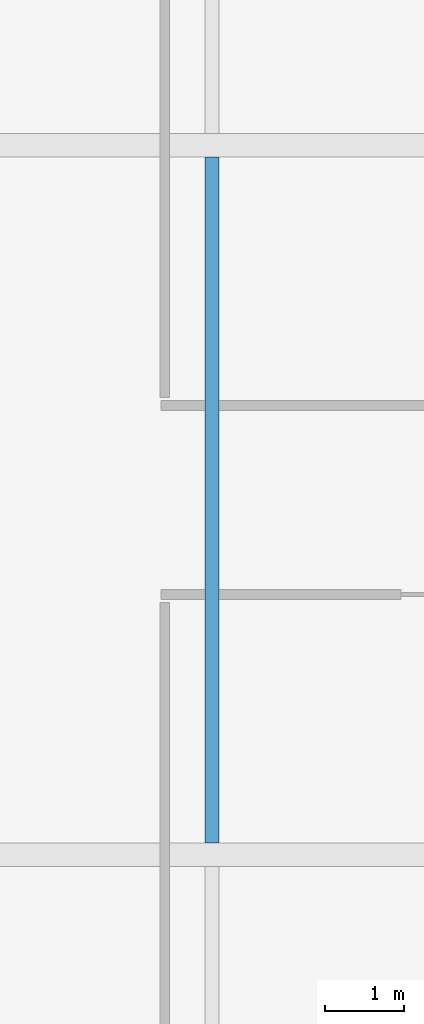
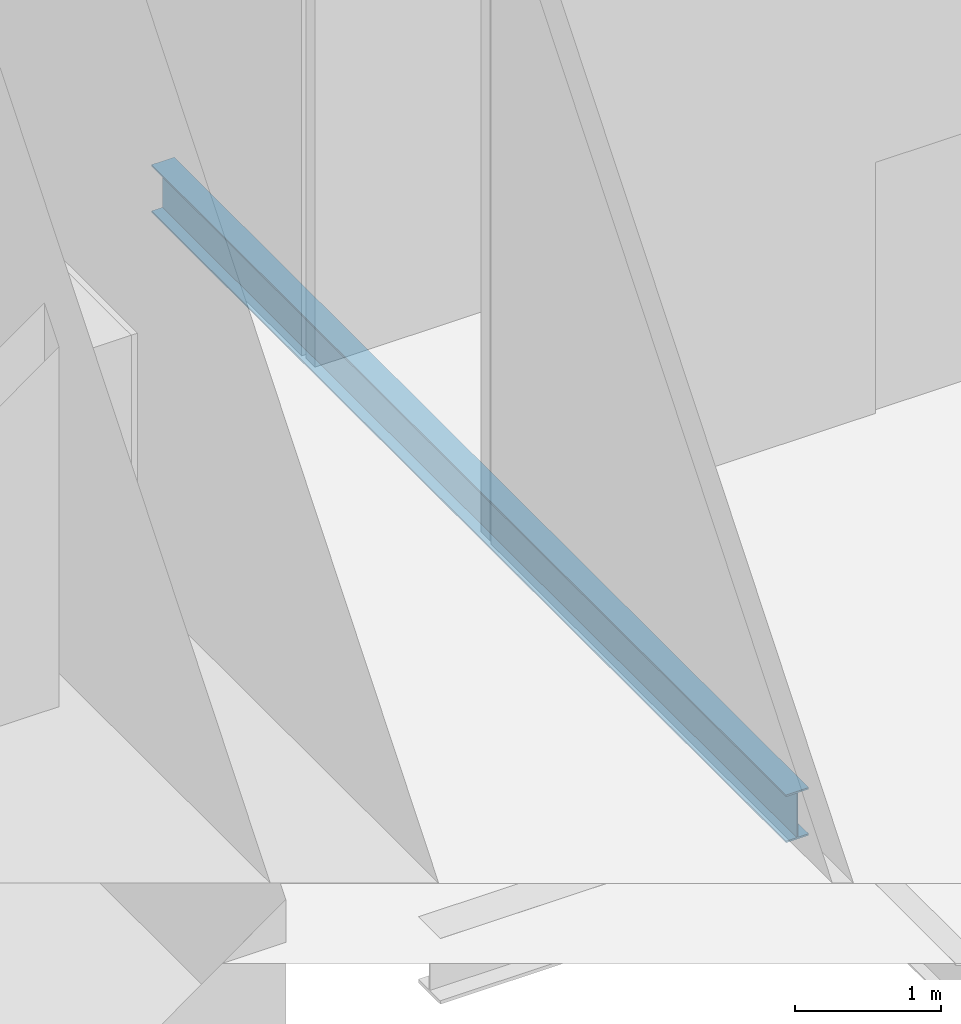
# One storey, part 11 of 47: 1 beam.
"""IFC4 building model written with IfcOpenShell, lengths in metres."""

from ifc_helpers import new_model, si_unit, direction, frame, origin, origin_2d, place, context, subcontext, project, spatial, i_section, extrude, source, transform, mapped, material, material_profile, profile_set, type_object, element, save


model = new_model("IFC4")

# Units and contexts
model_context = context("Model", 3, precision=1e-05, world=origin(), true_north=direction((0.0, 1.0)))
body_context = subcontext(model_context, "Body", "Model", "MODEL_VIEW")
ifc_project = project(units=[si_unit("LENGTHUNIT", "METRE"), si_unit("AREAUNIT", "SQUARE_METRE"), si_unit("VOLUMEUNIT", "CUBIC_METRE"), si_unit("PLANEANGLEUNIT", "RADIAN"), si_unit("MASSUNIT", "GRAM", prefix="KILO")], contexts=[model_context])

# Site, building, storey
site_placement = place(None, origin())
site = spatial("IfcSite", under=ifc_project, at=site_placement, CompositionType="ELEMENT")
building_placement = place(site_placement, origin())
building = spatial("IfcBuilding", under=site, at=building_placement, Name="Khomas Fold Tower", CompositionType="ELEMENT")
storey_placement = place(building_placement, frame((0.0, 0.0, 158.699951171875)))
storey = spatial("IfcBuildingStorey", under=building, at=storey_placement, Name="L34", CompositionType="ELEMENT", Elevation=158.699951171875)

# Beam
ifc_material = material(Name="Steel S355", Category="steel")
ifc_material_profile = material_profile(ifc_material, i_section(OverallWidth=0.179931640625, OverallDepth=0.39990234375, WebThickness=0.008544921875, FlangeThickness=0.013427734375, at=origin_2d()), Name="IPE 400")
ifc_profile_set = profile_set([ifc_material_profile], Name="Steel S355")
beam_type = type_object("IfcBeamType", Name="IPE 400 beam JB3", PredefinedType="BEAM", material=ifc_profile_set)
shared_shape = source(origin(), body_context, "Body", "SweptSolid", [
    extrude(i_section(OverallWidth=0.179931640625, OverallDepth=0.39990234375, WebThickness=0.008544921875, FlangeThickness=0.013427734375, at=origin_2d()), origin(), (0.0, 0.0, 1.0), 8.7001953125),
])
beam_placement = place(storey_placement, frame((27.0, 22.64990234375, -0.64990234375), z_axis=(0.0, 1.0, 0.0), x_axis=(-1.0, 0.0, 0.0)))
element("IfcBeam", 1, at=beam_placement, inside=storey, type_object=beam_type, Name="JB3", PredefinedType="BEAM", context=body_context, shape_type="MappedRepresentation", body=[
    mapped(shared_shape, transform((0.0, 0.0, 0.0))),
])

save(model, "model.ifc")
